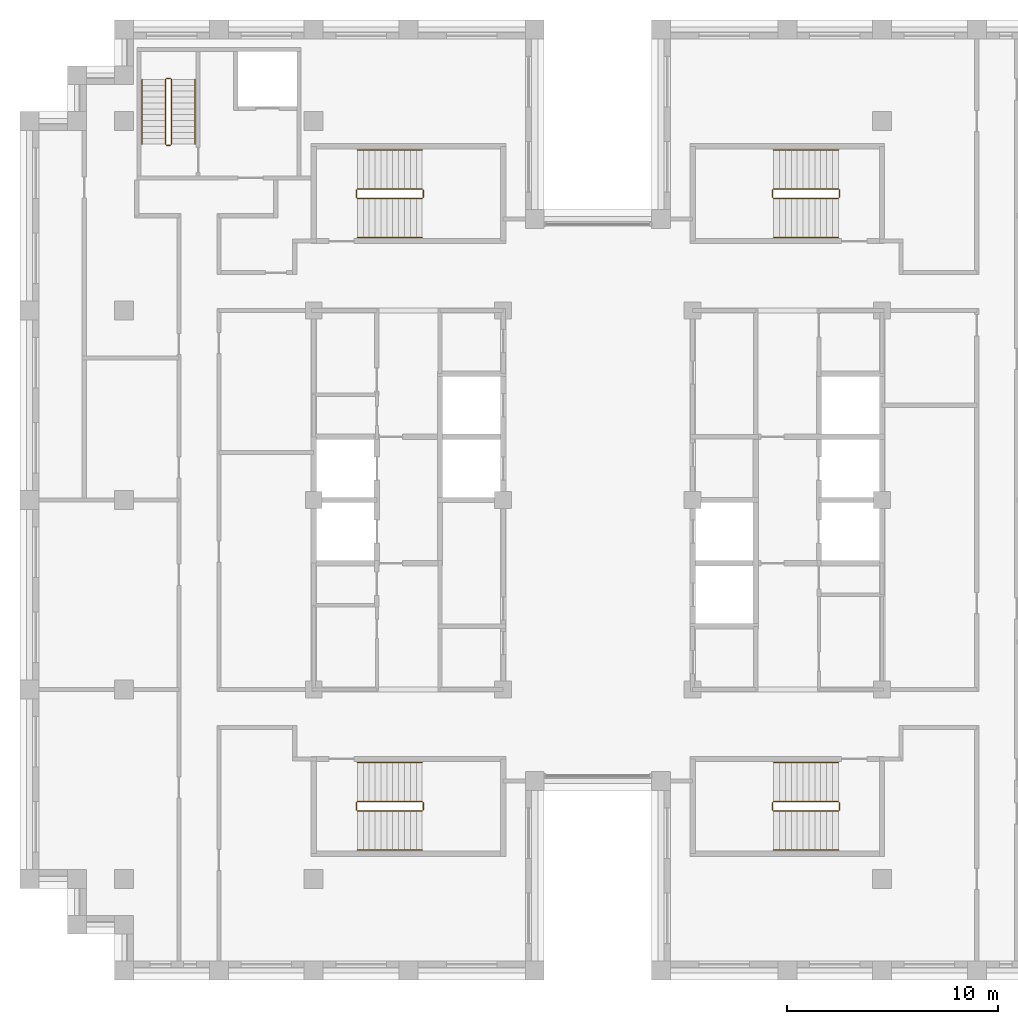
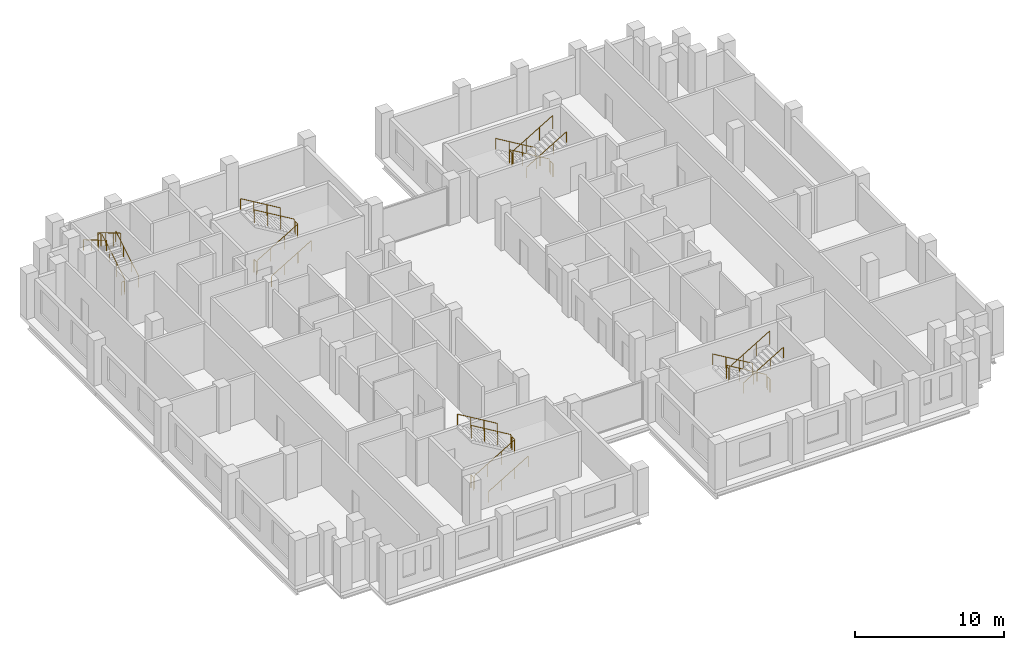
# One storey, part 13 of 13: 5 railings.
"""IFC4 building model written with IfcOpenShell, lengths in metres."""

import ifcopenshell
import ifcopenshell.guid

model = None  # the IFC model being written
_history = None  # IfcOwnerHistory: only IFC2X3 demands one
_inside = {}  # id of a spatial element -> (the spatial element, [elements in it])
_under = {}  # id of a project, library or spatial element -> (it, [spatial elements below it])
_declared = {}  # id of a project -> (the project, [libraries it declares])
_typed = {}  # id of a type object -> (the type object, [elements of that type])
_made_of = {}  # id of a material, layer set ... -> (it, [elements and type objects made of it])


def new_model(schema):
    """Start an empty IFC model of exactly this schema.

    Asked for "IFC4X3", IfcOpenShell would pick the latest addendum, in which some entities
    have other attributes; the version numbers below select the first issue.
    IFC2X3 requires an IfcOwnerHistory on every rooted entity: one is made here for all.
    """
    global model, _history
    if schema == "IFC4X3":
        model = ifcopenshell.file(schema_version=(4, 3, 0, 0))
    else:
        model = ifcopenshell.file(schema=schema)
    _inside.clear()
    _under.clear()
    _declared.clear()
    _typed.clear()
    _made_of.clear()
    _history = None
    if model.schema == "IFC2X3":
        org = make("IfcOrganization", Name="unknown")
        user = make(
            "IfcPersonAndOrganization",
            ThePerson=make("IfcPerson", FamilyName="unknown"),
            TheOrganization=org,
        )
        app = make(
            "IfcApplication",
            ApplicationDeveloper=org,
            Version="unknown",
            ApplicationFullName="unknown",
            ApplicationIdentifier="unknown",
        )
        _history = make(
            "IfcOwnerHistory",
            OwningUser=user,
            OwningApplication=app,
            ChangeAction="ADDED",
            CreationDate=0,
        )
    return model


def make(cls, **values):
    """One entity of the class cls with the attributes given. An attribute that is None is left unset."""
    return model.create_entity(
        cls, **{name: value for name, value in values.items() if value is not None}
    )


def rooted(cls, **values):
    """An entity with a GlobalId (a new one), such as an element, a storey or a relation."""
    return make(cls, GlobalId=ifcopenshell.guid.new(), OwnerHistory=_history, **values)


def si_unit(unit_type, name, prefix=None):
    """IfcSIUnit, for example si_unit("LENGTHUNIT", "METRE", prefix="MILLI")."""
    return make("IfcSIUnit", UnitType=unit_type, Prefix=prefix, Name=name)


def assignment(units):
    """IfcUnitAssignment: the units of a project."""
    return None if units is None else make("IfcUnitAssignment", Units=units)


def point(xyz):
    """IfcCartesianPoint."""
    return None if xyz is None else make("IfcCartesianPoint", Coordinates=xyz)


def direction(xyz):
    """IfcDirection."""
    return None if xyz is None else make("IfcDirection", DirectionRatios=xyz)


def frame(location, z_axis=None, x_axis=None):
    """IfcAxis2Placement3D, a coordinate frame: its origin and axes. An axis left out is left unset."""
    return make(
        "IfcAxis2Placement3D",
        Location=point(location),
        Axis=direction(z_axis),
        RefDirection=direction(x_axis),
    )


def frame_2d(location, x_axis=None):
    """IfcAxis2Placement2D, a coordinate frame in the plane: its origin and x axis."""
    return make(
        "IfcAxis2Placement2D", Location=point(location), RefDirection=direction(x_axis)
    )


def origin():
    """The frame at (0, 0, 0) with its axes left unset."""
    return frame((0.0, 0.0, 0.0))


def origin_2d():
    """The frame at (0, 0) in the plane with its x axis left unset."""
    return frame_2d((0.0, 0.0))


def place(relative_to, where):
    """IfcLocalPlacement: puts the frame where relative to a parent placement (None: the world)."""
    return make(
        "IfcLocalPlacement", PlacementRelTo=relative_to, RelativePlacement=where
    )


def context(
    kind, dimensions, precision=None, world=None, true_north=None, identifier=None
):
    """IfcGeometricRepresentationContext, for example the 3D "Model" context."""
    return make(
        "IfcGeometricRepresentationContext",
        ContextIdentifier=identifier,
        ContextType=kind,
        CoordinateSpaceDimension=dimensions,
        Precision=precision,
        WorldCoordinateSystem=world,
        TrueNorth=true_north,
    )


def subcontext(parent, identifier, kind, view, scale=None):
    """IfcGeometricRepresentationSubContext, for example "Body" below "Model"."""
    return make(
        "IfcGeometricRepresentationSubContext",
        ContextIdentifier=identifier,
        ContextType=kind,
        ParentContext=parent,
        TargetScale=scale,
        TargetView=view,
    )


def project(units=None, contexts=None):
    """IfcProject with its units and contexts."""
    return rooted(
        "IfcProject",
        Name="project",
        RepresentationContexts=contexts,
        UnitsInContext=assignment(units),
    )


def spatial(cls, under=None, at=None, **own):
    """A site, building, storey or space (cls), placed at a placement, below another one or the project."""
    s = rooted(cls, ObjectPlacement=at, **own)
    if under is not None:
        _under.setdefault(under.id(), (under, []))[1].append(s)
    return s


def profile(cls, at=None, kind="AREA", **sizes):
    """A parametric profile (cls). Its sizes go by their IFC names, for example OverallWidth=200.0."""
    return make(cls, ProfileType=kind, Position=at, **sizes)


def circle(**sizes):
    """IfcCircleProfileDef."""
    return profile("IfcCircleProfileDef", **sizes)


def extrude(swept, where, along, depth):
    """IfcExtrudedAreaSolid: the profile swept, set in the frame where, extruded along a direction by depth."""
    return make(
        "IfcExtrudedAreaSolid",
        SweptArea=swept,
        Position=where,
        ExtrudedDirection=direction(along),
        Depth=depth,
    )


def shape(context_of_items, identifier, shape_type, items):
    """IfcShapeRepresentation: the items that make up one representation, for example the "Body"."""
    return make(
        "IfcShapeRepresentation",
        ContextOfItems=context_of_items,
        RepresentationIdentifier=identifier,
        RepresentationType=shape_type,
        Items=items,
    )


def material(Name=None, Category=None):
    """IfcMaterial."""
    return make("IfcMaterial", Name=Name, Category=Category)


def made_of(thing, what):
    """Note that an element or type object is made of a material, layer set ...; save() writes the relation."""
    if what is not None:
        _made_of.setdefault(what.id(), (what, []))[1].append(thing)
    return thing


def type_object(cls, material=None, **own):
    """A type object (cls), such as IfcWallType, which elements share."""
    return made_of(rooted(cls, **own), material)


def element(
    cls,
    number,
    at=None,
    inside=None,
    cuts=None,
    type_object=None,
    material=None,
    context=None,
    identifier="Body",
    shape_type=None,
    held_by="IfcProductDefinitionShape",
    body=None,
    shapes=None,
    **own,
):
    """One element of the class cls, such as IfcWall. Its Tag is "e" and its number.

    at: its placement. inside: the storey or other place that contains it. cuts: it is an
    opening in that element (IfcRelVoidsElement). A single representation is given by context,
    identifier, shape_type and body (its items); several are given by shapes. held_by: the class
    of the entity that holds the representations. save() writes the other relations.
    """
    e = rooted(cls, Tag="e%d" % number, ObjectPlacement=at, **own)
    if body is not None:
        shapes = [shape(context, identifier, shape_type, body)]
    if shapes is not None:
        e.Representation = make(held_by, Representations=shapes)
    if inside is not None:
        _inside.setdefault(inside.id(), (inside, []))[1].append(e)
    if cuts is not None:
        rooted(
            "IfcRelVoidsElement", RelatingBuildingElement=cuts, RelatedOpeningElement=e
        )
    if type_object is not None:
        _typed.setdefault(type_object.id(), (type_object, []))[1].append(e)
    return made_of(e, material)


def aggregate(whole, parts):
    """IfcRelAggregates: a whole, such as a stair, and the parts it consists of."""
    return rooted("IfcRelAggregates", RelatingObject=whole, RelatedObjects=parts)


def save(model, path):
    """Write the relations noted so far, then the file.

    IfcRelAggregates (storeys below a building ...), IfcRelContainedInSpatialStructure (elements
    in a storey), IfcRelDefinesByType, IfcRelAssociatesMaterial and IfcRelDeclares: one each for
    every whole, place, type object, material and project.
    """
    for whole, parts in _under.values():
        aggregate(whole, parts)
    for where, things in _inside.values():
        rooted(
            "IfcRelContainedInSpatialStructure",
            RelatedElements=things,
            RelatingStructure=where,
        )
    for kind, things in _typed.values():
        rooted("IfcRelDefinesByType", RelatedObjects=things, RelatingType=kind)
    for what, things in _made_of.values():
        rooted("IfcRelAssociatesMaterial", RelatedObjects=things, RelatingMaterial=what)
    for by, libraries in _declared.values():
        rooted("IfcRelDeclares", RelatingContext=by, RelatedDefinitions=libraries)
    model.write(path)


model = new_model("IFC4")

# Units and contexts
model_context = context("Model", 3, precision=1e-05, world=origin(), true_north=direction((0.0, 1.0)))
body_context = subcontext(model_context, "Body", "Model", "MODEL_VIEW")
ifc_project = project(units=[si_unit("LENGTHUNIT", "METRE"), si_unit("AREAUNIT", "SQUARE_METRE"), si_unit("VOLUMEUNIT", "CUBIC_METRE"), si_unit("PLANEANGLEUNIT", "RADIAN"), si_unit("MASSUNIT", "GRAM", prefix="KILO")], contexts=[model_context])

# Site, building, storey
site_placement = place(None, origin())
site = spatial("IfcSite", under=ifc_project, at=site_placement, CompositionType="ELEMENT")
building_placement = place(site_placement, origin())
building = spatial("IfcBuilding", under=site, at=building_placement, Name="Corbelhall Arena Tower", CompositionType="ELEMENT")
storey_placement = place(building_placement, frame((0.0, 0.0, 246.0)))
storey = spatial("IfcBuildingStorey", under=building, at=storey_placement, Name="L52", CompositionType="ELEMENT", Elevation=246.0)

# Railings
ifc_material = material(Name="Steel ASTM A500 Gr C", Category="steel")
railing_type = type_object("IfcRailingType", Name="IN-GD-1100", PredefinedType="GUARDRAIL", material=ifc_material)
railing_1_placement = place(storey_placement, frame((-11.425048828125, 14.324951171875, 0.166748046875)))
element("IfcRailing", 1, at=railing_1_placement, inside=storey, type_object=railing_type, Name="L52 ST1 stair guards and handrails", PredefinedType="GUARDRAIL", context=body_context, shape_type="SweptSolid", body=[
    extrude(circle(Radius=0.02392578125, at=origin_2d()), frame((0.0, 0.0, 1.076171875), z_axis=(0.859308565015, 0.0, 0.511457515432), x_axis=(0.0, 1.0, 0.0)), (0.0, 0.0, 1.0), 3.58447265625),
    extrude(circle(Radius=0.02392578125, at=origin_2d()), frame((3.130126953125, 0.050048828125, 2.9091796875), z_axis=(0.0, 1.0, 0.0), x_axis=(-1.0, 0.0, 0.0)), (0.0, 0.0, 1.0), 0.35009765625),
    extrude(circle(Radius=0.02392578125, at=origin_2d()), frame((3.080078125, 0.449951171875, 3.076171875), z_axis=(-0.859308565015, 0.0, 0.511457515432), x_axis=(0.0, -1.0, 0.0)), (0.0, 0.0, 1.0), 3.58447265625),
    extrude(circle(Radius=0.02392578125, at=origin_2d()), frame((-0.050048828125, 0.050048828125, 0.9091796875), z_axis=(0.0, 1.0, 0.0), x_axis=(-1.0, 0.0, 0.0)), (0.0, 0.0, 1.0), 0.35009765625),
    extrude(circle(Radius=0.02392578125, at=origin_2d()), frame((0.0, -1.849853515625, 0.8759765625), z_axis=(0.859308565015, 0.0, 0.511457515432), x_axis=(0.0, 1.0, 0.0)), (0.0, 0.0, 1.0), 3.58447265625),
    extrude(circle(Radius=0.02392578125, at=origin_2d()), frame((3.080078125, 2.300048828125, 2.8759765625), z_axis=(-0.859308565015, 0.0, 0.511457515432), x_axis=(0.0, -1.0, 0.0)), (0.0, 0.0, 1.0), 3.58447265625),
    extrude(circle(Radius=0.02099609375, at=origin_2d()), origin(), (0.0, 0.0, 1.0), 1.052001953125),
    extrude(circle(Radius=0.02099609375, at=origin_2d()), frame((1.026611328125, 0.0, 0.611083984375)), (0.0, 0.0, 1.0), 1.052001953125),
    extrude(circle(Radius=0.02099609375, at=origin_2d()), frame((2.053466796875, 0.0, 1.22216796875)), (0.0, 0.0, 1.0), 1.052001953125),
    extrude(circle(Radius=0.02099609375, at=origin_2d()), frame((3.080078125, 0.0, 1.833251953125)), (0.0, 0.0, 1.0), 1.052001953125),
    extrude(circle(Radius=0.02099609375, at=origin_2d()), frame((3.130126953125, 0.050048828125, 1.833251953125)), (0.0, 0.0, 1.0), 1.052001953125),
    extrude(circle(Radius=0.02099609375, at=origin_2d()), frame((3.130126953125, 0.400146484375, 1.833251953125)), (0.0, 0.0, 1.0), 1.052001953125),
    extrude(circle(Radius=0.02099609375, at=origin_2d()), frame((3.080078125, 0.449951171875, 2.0)), (0.0, 0.0, 1.0), 1.052001953125),
    extrude(circle(Radius=0.02099609375, at=origin_2d()), frame((2.053466796875, 0.449951171875, 2.611083984375)), (0.0, 0.0, 1.0), 1.052001953125),
    extrude(circle(Radius=0.02099609375, at=origin_2d()), frame((1.026611328125, 0.449951171875, 3.22216796875)), (0.0, 0.0, 1.0), 1.052001953125),
    extrude(circle(Radius=0.02099609375, at=origin_2d()), frame((0.0, 0.449951171875, 3.833251953125)), (0.0, 0.0, 1.0), 1.052001953125),
    extrude(circle(Radius=0.02099609375, at=origin_2d()), frame((-0.050048828125, 0.050048828125, -0.166748046875)), (0.0, 0.0, 1.0), 1.052001953125),
    extrude(circle(Radius=0.02099609375, at=origin_2d()), frame((-0.050048828125, 0.400146484375, -0.166748046875)), (0.0, 0.0, 1.0), 1.052001953125),
    extrude(circle(Radius=0.02099609375, at=origin_2d()), frame((0.0, -1.849853515625, 0.0)), (0.0, 0.0, 1.0), 0.851806640625),
    extrude(circle(Radius=0.02099609375, at=origin_2d()), frame((1.026611328125, -1.849853515625, 0.611083984375)), (0.0, 0.0, 1.0), 0.851806640625),
    extrude(circle(Radius=0.02099609375, at=origin_2d()), frame((2.053466796875, -1.849853515625, 1.22216796875)), (0.0, 0.0, 1.0), 0.851806640625),
    extrude(circle(Radius=0.02099609375, at=origin_2d()), frame((3.080078125, -1.849853515625, 1.833251953125)), (0.0, 0.0, 1.0), 0.851806640625),
    extrude(circle(Radius=0.02099609375, at=origin_2d()), frame((3.080078125, 2.300048828125, 2.0)), (0.0, 0.0, 1.0), 0.851806640625),
    extrude(circle(Radius=0.02099609375, at=origin_2d()), frame((2.053466796875, 2.300048828125, 2.611083984375)), (0.0, 0.0, 1.0), 0.851806640625),
    extrude(circle(Radius=0.02099609375, at=origin_2d()), frame((1.026611328125, 2.300048828125, 3.22216796875)), (0.0, 0.0, 1.0), 0.851806640625),
    extrude(circle(Radius=0.02099609375, at=origin_2d()), frame((0.0, 2.300048828125, 3.833251953125)), (0.0, 0.0, 1.0), 0.851806640625),
])
railing_2_placement = place(storey_placement, frame((-11.425048828125, -14.77490234375, 0.166748046875)))
element("IfcRailing", 2, at=railing_2_placement, inside=storey, type_object=railing_type, Name="L52 ST2 stair guards and handrails", PredefinedType="GUARDRAIL", context=body_context, shape_type="SweptSolid", body=[
    extrude(circle(Radius=0.02392578125, at=origin_2d()), frame((0.0, 0.0, 1.076171875), z_axis=(0.859308565015, 0.0, 0.511457515432), x_axis=(0.0, 1.0, 0.0)), (0.0, 0.0, 1.0), 3.58447265625),
    extrude(circle(Radius=0.02392578125, at=origin_2d()), frame((3.130126953125, 0.0498046875, 2.9091796875), z_axis=(0.0, 1.0, 0.0), x_axis=(-1.0, 0.0, 0.0)), (0.0, 0.0, 1.0), 0.35009765625),
    extrude(circle(Radius=0.02392578125, at=origin_2d()), frame((3.080078125, 0.449951171875, 3.076171875), z_axis=(-0.859308565015, 0.0, 0.511457515432), x_axis=(0.0, -1.0, 0.0)), (0.0, 0.0, 1.0), 3.58447265625),
    extrude(circle(Radius=0.02392578125, at=origin_2d()), frame((-0.050048828125, 0.0498046875, 0.9091796875), z_axis=(0.0, 1.0, 0.0), x_axis=(-1.0, 0.0, 0.0)), (0.0, 0.0, 1.0), 0.35009765625),
    extrude(circle(Radius=0.02392578125, at=origin_2d()), frame((0.0, -1.85009765625, 0.8759765625), z_axis=(0.859308565015, 0.0, 0.511457515432), x_axis=(0.0, 1.0, 0.0)), (0.0, 0.0, 1.0), 3.58447265625),
    extrude(circle(Radius=0.02392578125, at=origin_2d()), frame((3.080078125, 2.2998046875, 2.8759765625), z_axis=(-0.859308565015, 0.0, 0.511457515432), x_axis=(0.0, -1.0, 0.0)), (0.0, 0.0, 1.0), 3.58447265625),
    extrude(circle(Radius=0.02099609375, at=origin_2d()), origin(), (0.0, 0.0, 1.0), 1.052001953125),
    extrude(circle(Radius=0.02099609375, at=origin_2d()), frame((1.026611328125, 0.0, 0.611083984375)), (0.0, 0.0, 1.0), 1.052001953125),
    extrude(circle(Radius=0.02099609375, at=origin_2d()), frame((2.053466796875, 0.0, 1.22216796875)), (0.0, 0.0, 1.0), 1.052001953125),
    extrude(circle(Radius=0.02099609375, at=origin_2d()), frame((3.080078125, 0.0, 1.833251953125)), (0.0, 0.0, 1.0), 1.052001953125),
    extrude(circle(Radius=0.02099609375, at=origin_2d()), frame((3.130126953125, 0.0498046875, 1.833251953125)), (0.0, 0.0, 1.0), 1.052001953125),
    extrude(circle(Radius=0.02099609375, at=origin_2d()), frame((3.130126953125, 0.39990234375, 1.833251953125)), (0.0, 0.0, 1.0), 1.052001953125),
    extrude(circle(Radius=0.02099609375, at=origin_2d()), frame((3.080078125, 0.449951171875, 2.0)), (0.0, 0.0, 1.0), 1.052001953125),
    extrude(circle(Radius=0.02099609375, at=origin_2d()), frame((2.053466796875, 0.449951171875, 2.611083984375)), (0.0, 0.0, 1.0), 1.052001953125),
    extrude(circle(Radius=0.02099609375, at=origin_2d()), frame((1.026611328125, 0.449951171875, 3.22216796875)), (0.0, 0.0, 1.0), 1.052001953125),
    extrude(circle(Radius=0.02099609375, at=origin_2d()), frame((0.0, 0.449951171875, 3.833251953125)), (0.0, 0.0, 1.0), 1.052001953125),
    extrude(circle(Radius=0.02099609375, at=origin_2d()), frame((-0.050048828125, 0.0498046875, -0.166748046875)), (0.0, 0.0, 1.0), 1.052001953125),
    extrude(circle(Radius=0.02099609375, at=origin_2d()), frame((-0.050048828125, 0.39990234375, -0.166748046875)), (0.0, 0.0, 1.0), 1.052001953125),
    extrude(circle(Radius=0.02099609375, at=origin_2d()), frame((0.0, -1.85009765625, 0.0)), (0.0, 0.0, 1.0), 0.851806640625),
    extrude(circle(Radius=0.02099609375, at=origin_2d()), frame((1.026611328125, -1.85009765625, 0.611083984375)), (0.0, 0.0, 1.0), 0.851806640625),
    extrude(circle(Radius=0.02099609375, at=origin_2d()), frame((2.053466796875, -1.85009765625, 1.22216796875)), (0.0, 0.0, 1.0), 0.851806640625),
    extrude(circle(Radius=0.02099609375, at=origin_2d()), frame((3.080078125, -1.85009765625, 1.833251953125)), (0.0, 0.0, 1.0), 0.851806640625),
    extrude(circle(Radius=0.02099609375, at=origin_2d()), frame((3.080078125, 2.2998046875, 2.0)), (0.0, 0.0, 1.0), 0.851806640625),
    extrude(circle(Radius=0.02099609375, at=origin_2d()), frame((2.053466796875, 2.2998046875, 2.611083984375)), (0.0, 0.0, 1.0), 0.851806640625),
    extrude(circle(Radius=0.02099609375, at=origin_2d()), frame((1.026611328125, 2.2998046875, 3.22216796875)), (0.0, 0.0, 1.0), 0.851806640625),
    extrude(circle(Radius=0.02099609375, at=origin_2d()), frame((0.0, 2.2998046875, 3.833251953125)), (0.0, 0.0, 1.0), 0.851806640625),
])
railing_3_placement = place(storey_placement, frame((11.425048828125, 14.77490234375, 0.166748046875)))
element("IfcRailing", 3, at=railing_3_placement, inside=storey, type_object=railing_type, Name="L52 ST3 stair guards and handrails", PredefinedType="GUARDRAIL", context=body_context, shape_type="SweptSolid", body=[
    extrude(circle(Radius=0.02392578125, at=origin_2d()), frame((0.0, 0.0, 1.076171875), z_axis=(-0.859308565015, 0.0, 0.511457515432), x_axis=(0.0, -1.0, 0.0)), (0.0, 0.0, 1.0), 3.58447265625),
    extrude(circle(Radius=0.02392578125, at=origin_2d()), frame((-3.130126953125, -0.0498046875, 2.9091796875), z_axis=(0.0, -1.0, 0.0), x_axis=(1.0, 0.0, 0.0)), (0.0, 0.0, 1.0), 0.35009765625),
    extrude(circle(Radius=0.02392578125, at=origin_2d()), frame((-3.080078125, -0.449951171875, 3.076171875), z_axis=(0.859308565015, 0.0, 0.511457515432), x_axis=(0.0, 1.0, 0.0)), (0.0, 0.0, 1.0), 3.58447265625),
    extrude(circle(Radius=0.02392578125, at=origin_2d()), frame((0.050048828125, -0.0498046875, 0.9091796875), z_axis=(0.0, -1.0, 0.0), x_axis=(1.0, 0.0, 0.0)), (0.0, 0.0, 1.0), 0.35009765625),
    extrude(circle(Radius=0.02392578125, at=origin_2d()), frame((0.0, 1.85009765625, 0.8759765625), z_axis=(-0.859308565015, 0.0, 0.511457515432), x_axis=(0.0, -1.0, 0.0)), (0.0, 0.0, 1.0), 3.58447265625),
    extrude(circle(Radius=0.02392578125, at=origin_2d()), frame((-3.080078125, -2.2998046875, 2.8759765625), z_axis=(0.859308565015, 0.0, 0.511457515432), x_axis=(0.0, 1.0, 0.0)), (0.0, 0.0, 1.0), 3.58447265625),
    extrude(circle(Radius=0.02099609375, at=origin_2d()), origin(), (0.0, 0.0, 1.0), 1.052001953125),
    extrude(circle(Radius=0.02099609375, at=origin_2d()), frame((-1.026611328125, 0.0, 0.611083984375)), (0.0, 0.0, 1.0), 1.052001953125),
    extrude(circle(Radius=0.02099609375, at=origin_2d()), frame((-2.053466796875, 0.0, 1.22216796875)), (0.0, 0.0, 1.0), 1.052001953125),
    extrude(circle(Radius=0.02099609375, at=origin_2d()), frame((-3.080078125, 0.0, 1.833251953125)), (0.0, 0.0, 1.0), 1.052001953125),
    extrude(circle(Radius=0.02099609375, at=origin_2d()), frame((-3.130126953125, -0.0498046875, 1.833251953125)), (0.0, 0.0, 1.0), 1.052001953125),
    extrude(circle(Radius=0.02099609375, at=origin_2d()), frame((-3.130126953125, -0.39990234375, 1.833251953125)), (0.0, 0.0, 1.0), 1.052001953125),
    extrude(circle(Radius=0.02099609375, at=origin_2d()), frame((-3.080078125, -0.449951171875, 2.0)), (0.0, 0.0, 1.0), 1.052001953125),
    extrude(circle(Radius=0.02099609375, at=origin_2d()), frame((-2.053466796875, -0.449951171875, 2.611083984375)), (0.0, 0.0, 1.0), 1.052001953125),
    extrude(circle(Radius=0.02099609375, at=origin_2d()), frame((-1.026611328125, -0.449951171875, 3.22216796875)), (0.0, 0.0, 1.0), 1.052001953125),
    extrude(circle(Radius=0.02099609375, at=origin_2d()), frame((0.0, -0.449951171875, 3.833251953125)), (0.0, 0.0, 1.0), 1.052001953125),
    extrude(circle(Radius=0.02099609375, at=origin_2d()), frame((0.050048828125, -0.0498046875, -0.166748046875)), (0.0, 0.0, 1.0), 1.052001953125),
    extrude(circle(Radius=0.02099609375, at=origin_2d()), frame((0.050048828125, -0.39990234375, -0.166748046875)), (0.0, 0.0, 1.0), 1.052001953125),
    extrude(circle(Radius=0.02099609375, at=origin_2d()), frame((0.0, 1.85009765625, 0.0)), (0.0, 0.0, 1.0), 0.851806640625),
    extrude(circle(Radius=0.02099609375, at=origin_2d()), frame((-1.026611328125, 1.85009765625, 0.611083984375)), (0.0, 0.0, 1.0), 0.851806640625),
    extrude(circle(Radius=0.02099609375, at=origin_2d()), frame((-2.053466796875, 1.85009765625, 1.22216796875)), (0.0, 0.0, 1.0), 0.851806640625),
    extrude(circle(Radius=0.02099609375, at=origin_2d()), frame((-3.080078125, 1.85009765625, 1.833251953125)), (0.0, 0.0, 1.0), 0.851806640625),
    extrude(circle(Radius=0.02099609375, at=origin_2d()), frame((-3.080078125, -2.2998046875, 2.0)), (0.0, 0.0, 1.0), 0.851806640625),
    extrude(circle(Radius=0.02099609375, at=origin_2d()), frame((-2.053466796875, -2.2998046875, 2.611083984375)), (0.0, 0.0, 1.0), 0.851806640625),
    extrude(circle(Radius=0.02099609375, at=origin_2d()), frame((-1.026611328125, -2.2998046875, 3.22216796875)), (0.0, 0.0, 1.0), 0.851806640625),
    extrude(circle(Radius=0.02099609375, at=origin_2d()), frame((0.0, -2.2998046875, 3.833251953125)), (0.0, 0.0, 1.0), 0.851806640625),
])
railing_4_placement = place(storey_placement, frame((11.425048828125, -14.324951171875, 0.166748046875)))
element("IfcRailing", 4, at=railing_4_placement, inside=storey, type_object=railing_type, Name="L52 ST4 stair guards and handrails", PredefinedType="GUARDRAIL", context=body_context, shape_type="SweptSolid", body=[
    extrude(circle(Radius=0.02392578125, at=origin_2d()), frame((0.0, 0.0, 1.076171875), z_axis=(-0.859308565015, 0.0, 0.511457515432), x_axis=(0.0, -1.0, 0.0)), (0.0, 0.0, 1.0), 3.58447265625),
    extrude(circle(Radius=0.02392578125, at=origin_2d()), frame((-3.130126953125, -0.050048828125, 2.9091796875), z_axis=(0.0, -1.0, 0.0), x_axis=(1.0, 0.0, 0.0)), (0.0, 0.0, 1.0), 0.35009765625),
    extrude(circle(Radius=0.02392578125, at=origin_2d()), frame((-3.080078125, -0.449951171875, 3.076171875), z_axis=(0.859308565015, 0.0, 0.511457515432), x_axis=(0.0, 1.0, 0.0)), (0.0, 0.0, 1.0), 3.58447265625),
    extrude(circle(Radius=0.02392578125, at=origin_2d()), frame((0.050048828125, -0.050048828125, 0.9091796875), z_axis=(0.0, -1.0, 0.0), x_axis=(1.0, 0.0, 0.0)), (0.0, 0.0, 1.0), 0.35009765625),
    extrude(circle(Radius=0.02392578125, at=origin_2d()), frame((0.0, 1.849853515625, 0.8759765625), z_axis=(-0.859308565015, 0.0, 0.511457515432), x_axis=(0.0, -1.0, 0.0)), (0.0, 0.0, 1.0), 3.58447265625),
    extrude(circle(Radius=0.02392578125, at=origin_2d()), frame((-3.080078125, -2.300048828125, 2.8759765625), z_axis=(0.859308565015, 0.0, 0.511457515432), x_axis=(0.0, 1.0, 0.0)), (0.0, 0.0, 1.0), 3.58447265625),
    extrude(circle(Radius=0.02099609375, at=origin_2d()), origin(), (0.0, 0.0, 1.0), 1.052001953125),
    extrude(circle(Radius=0.02099609375, at=origin_2d()), frame((-1.026611328125, 0.0, 0.611083984375)), (0.0, 0.0, 1.0), 1.052001953125),
    extrude(circle(Radius=0.02099609375, at=origin_2d()), frame((-2.053466796875, 0.0, 1.22216796875)), (0.0, 0.0, 1.0), 1.052001953125),
    extrude(circle(Radius=0.02099609375, at=origin_2d()), frame((-3.080078125, 0.0, 1.833251953125)), (0.0, 0.0, 1.0), 1.052001953125),
    extrude(circle(Radius=0.02099609375, at=origin_2d()), frame((-3.130126953125, -0.050048828125, 1.833251953125)), (0.0, 0.0, 1.0), 1.052001953125),
    extrude(circle(Radius=0.02099609375, at=origin_2d()), frame((-3.130126953125, -0.400146484375, 1.833251953125)), (0.0, 0.0, 1.0), 1.052001953125),
    extrude(circle(Radius=0.02099609375, at=origin_2d()), frame((-3.080078125, -0.449951171875, 2.0)), (0.0, 0.0, 1.0), 1.052001953125),
    extrude(circle(Radius=0.02099609375, at=origin_2d()), frame((-2.053466796875, -0.449951171875, 2.611083984375)), (0.0, 0.0, 1.0), 1.052001953125),
    extrude(circle(Radius=0.02099609375, at=origin_2d()), frame((-1.026611328125, -0.449951171875, 3.22216796875)), (0.0, 0.0, 1.0), 1.052001953125),
    extrude(circle(Radius=0.02099609375, at=origin_2d()), frame((0.0, -0.449951171875, 3.833251953125)), (0.0, 0.0, 1.0), 1.052001953125),
    extrude(circle(Radius=0.02099609375, at=origin_2d()), frame((0.050048828125, -0.050048828125, -0.166748046875)), (0.0, 0.0, 1.0), 1.052001953125),
    extrude(circle(Radius=0.02099609375, at=origin_2d()), frame((0.050048828125, -0.400146484375, -0.166748046875)), (0.0, 0.0, 1.0), 1.052001953125),
    extrude(circle(Radius=0.02099609375, at=origin_2d()), frame((0.0, 1.849853515625, 0.0)), (0.0, 0.0, 1.0), 0.851806640625),
    extrude(circle(Radius=0.02099609375, at=origin_2d()), frame((-1.026611328125, 1.849853515625, 0.611083984375)), (0.0, 0.0, 1.0), 0.851806640625),
    extrude(circle(Radius=0.02099609375, at=origin_2d()), frame((-2.053466796875, 1.849853515625, 1.22216796875)), (0.0, 0.0, 1.0), 0.851806640625),
    extrude(circle(Radius=0.02099609375, at=origin_2d()), frame((-3.080078125, 1.849853515625, 1.833251953125)), (0.0, 0.0, 1.0), 0.851806640625),
    extrude(circle(Radius=0.02099609375, at=origin_2d()), frame((-3.080078125, -2.300048828125, 2.0)), (0.0, 0.0, 1.0), 0.851806640625),
    extrude(circle(Radius=0.02099609375, at=origin_2d()), frame((-2.053466796875, -2.300048828125, 2.611083984375)), (0.0, 0.0, 1.0), 0.851806640625),
    extrude(circle(Radius=0.02099609375, at=origin_2d()), frame((-1.026611328125, -2.300048828125, 3.22216796875)), (0.0, 0.0, 1.0), 0.851806640625),
    extrude(circle(Radius=0.02099609375, at=origin_2d()), frame((0.0, -2.300048828125, 3.833251953125)), (0.0, 0.0, 1.0), 0.851806640625),
])
railing_5_placement = place(storey_placement, frame((-20.2451171875, 16.89990234375, 0.166748046875)))
element("IfcRailing", 5, at=railing_5_placement, inside=storey, type_object=railing_type, Name="L52 ST5 stair guards and handrails", PredefinedType="GUARDRAIL", context=body_context, shape_type="SweptSolid", body=[
    extrude(circle(Radius=0.02392578125, at=origin_2d()), frame((0.0, 0.0, 1.076171875), z_axis=(0.0, 0.859308565015, 0.511457515432), x_axis=(-1.0, 0.0, 0.0)), (0.0, 0.0, 1.0), 3.58447265625),
    extrude(circle(Radius=0.02392578125, at=origin_2d()), frame((-0.0498046875, 3.130126953125, 2.9091796875), z_axis=(-1.0, 0.0, 0.0), x_axis=(0.0, -1.0, 0.0)), (0.0, 0.0, 1.0), 0.2001953125),
    extrude(circle(Radius=0.02392578125, at=origin_2d()), frame((-0.2998046875, 3.080078125, 3.076171875), z_axis=(0.0, -0.859308565015, 0.511457515432), x_axis=(1.0, 0.0, 0.0)), (0.0, 0.0, 1.0), 3.58447265625),
    extrude(circle(Radius=0.02392578125, at=origin_2d()), frame((-0.0498046875, -0.0498046875, 0.9091796875), z_axis=(-1.0, 0.0, 0.0), x_axis=(0.0, -1.0, 0.0)), (0.0, 0.0, 1.0), 0.2001953125),
    extrude(circle(Radius=0.02392578125, at=origin_2d()), frame((1.10009765625, 0.0, 0.8759765625), z_axis=(0.0, 0.859308565015, 0.511457515432), x_axis=(-1.0, 0.0, 0.0)), (0.0, 0.0, 1.0), 3.58447265625),
    extrude(circle(Radius=0.02392578125, at=origin_2d()), frame((-1.39990234375, 3.080078125, 2.8759765625), z_axis=(0.0, -0.859308565015, 0.511457515432), x_axis=(1.0, 0.0, 0.0)), (0.0, 0.0, 1.0), 3.58447265625),
    extrude(circle(Radius=0.02099609375, at=origin_2d()), origin(), (0.0, 0.0, 1.0), 1.052001953125),
    extrude(circle(Radius=0.02099609375, at=origin_2d()), frame((0.0, 1.026611328125, 0.611083984375)), (0.0, 0.0, 1.0), 1.052001953125),
    extrude(circle(Radius=0.02099609375, at=origin_2d()), frame((0.0, 2.053466796875, 1.22216796875)), (0.0, 0.0, 1.0), 1.052001953125),
    extrude(circle(Radius=0.02099609375, at=origin_2d()), frame((0.0, 3.080078125, 1.833251953125)), (0.0, 0.0, 1.0), 1.052001953125),
    extrude(circle(Radius=0.02099609375, at=origin_2d()), frame((-0.0498046875, 3.130126953125, 1.833251953125)), (0.0, 0.0, 1.0), 1.052001953125),
    extrude(circle(Radius=0.02099609375, at=origin_2d()), frame((-0.25, 3.130126953125, 1.833251953125)), (0.0, 0.0, 1.0), 1.052001953125),
    extrude(circle(Radius=0.02099609375, at=origin_2d()), frame((-0.2998046875, 3.080078125, 2.0)), (0.0, 0.0, 1.0), 1.052001953125),
    extrude(circle(Radius=0.02099609375, at=origin_2d()), frame((-0.2998046875, 2.053466796875, 2.611083984375)), (0.0, 0.0, 1.0), 1.052001953125),
    extrude(circle(Radius=0.02099609375, at=origin_2d()), frame((-0.2998046875, 1.026611328125, 3.22216796875)), (0.0, 0.0, 1.0), 1.052001953125),
    extrude(circle(Radius=0.02099609375, at=origin_2d()), frame((-0.2998046875, 0.0, 3.833251953125)), (0.0, 0.0, 1.0), 1.052001953125),
    extrude(circle(Radius=0.02099609375, at=origin_2d()), frame((-0.0498046875, -0.0498046875, -0.166748046875)), (0.0, 0.0, 1.0), 1.052001953125),
    extrude(circle(Radius=0.02099609375, at=origin_2d()), frame((-0.25, -0.0498046875, -0.166748046875)), (0.0, 0.0, 1.0), 1.052001953125),
    extrude(circle(Radius=0.02099609375, at=origin_2d()), frame((1.10009765625, 0.0, 0.0)), (0.0, 0.0, 1.0), 0.851806640625),
    extrude(circle(Radius=0.02099609375, at=origin_2d()), frame((1.10009765625, 1.026611328125, 0.611083984375)), (0.0, 0.0, 1.0), 0.851806640625),
    extrude(circle(Radius=0.02099609375, at=origin_2d()), frame((1.10009765625, 2.053466796875, 1.22216796875)), (0.0, 0.0, 1.0), 0.851806640625),
    extrude(circle(Radius=0.02099609375, at=origin_2d()), frame((1.10009765625, 3.080078125, 1.833251953125)), (0.0, 0.0, 1.0), 0.851806640625),
    extrude(circle(Radius=0.02099609375, at=origin_2d()), frame((-1.39990234375, 3.080078125, 2.0)), (0.0, 0.0, 1.0), 0.851806640625),
    extrude(circle(Radius=0.02099609375, at=origin_2d()), frame((-1.39990234375, 2.053466796875, 2.611083984375)), (0.0, 0.0, 1.0), 0.851806640625),
    extrude(circle(Radius=0.02099609375, at=origin_2d()), frame((-1.39990234375, 1.026611328125, 3.22216796875)), (0.0, 0.0, 1.0), 0.851806640625),
    extrude(circle(Radius=0.02099609375, at=origin_2d()), frame((-1.39990234375, 0.0, 3.833251953125)), (0.0, 0.0, 1.0), 0.851806640625),
])

save(model, "model.ifc")
